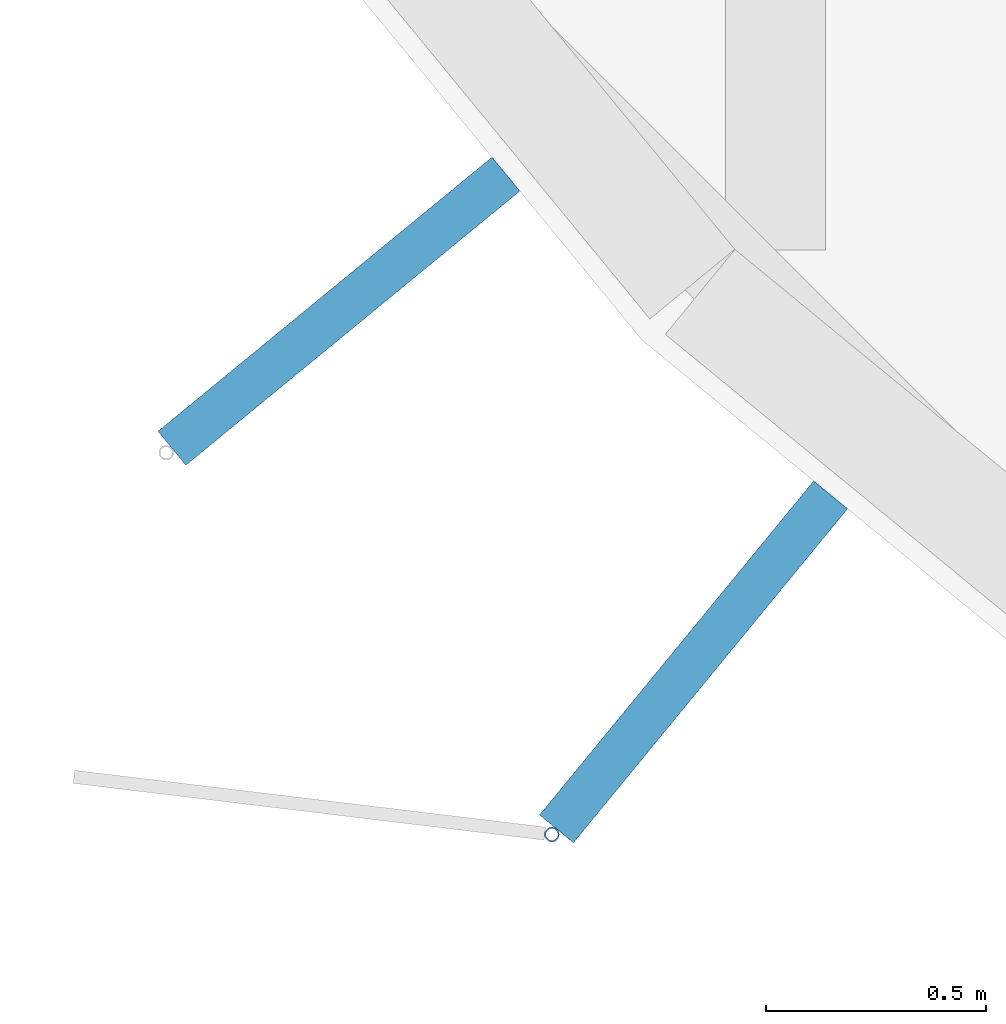
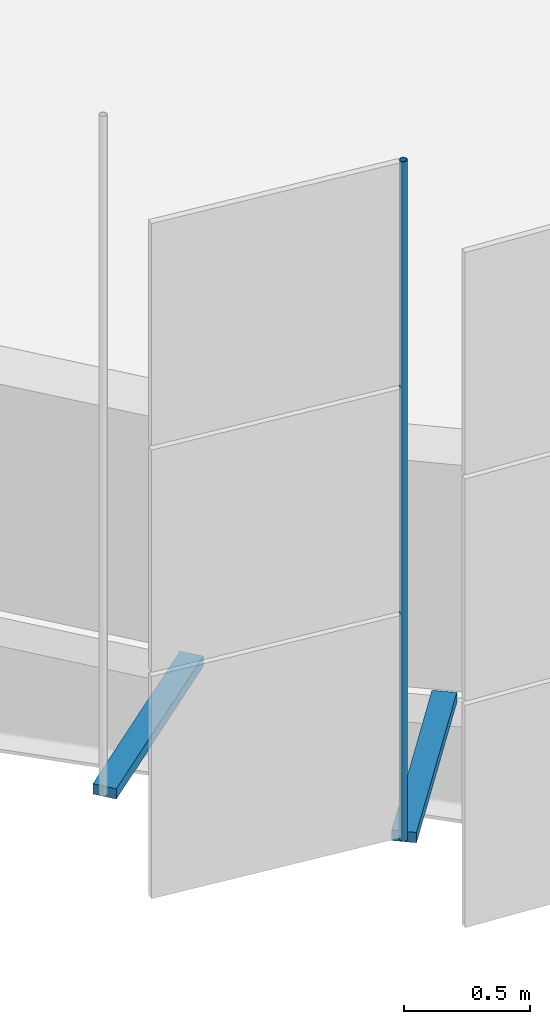
# One storey, part 87 of 214: 3 discrete accessories.
"""IFC4 building model written with IfcOpenShell, lengths in metres."""

from ifc_helpers import new_model, si_unit, direction, frame, origin, origin_2d, place, context, subcontext, project, spatial, rectangle, hollow_circle, extrude, material, material_profile, profile_set, type_object, element, save


model = new_model("IFC4")

# Units and contexts
model_context = context("Model", 3, precision=1e-05, world=origin(), true_north=direction((0.0, 1.0)))
body_context = subcontext(model_context, "Body", "Model", "MODEL_VIEW")
ifc_project = project(units=[si_unit("LENGTHUNIT", "METRE"), si_unit("AREAUNIT", "SQUARE_METRE"), si_unit("VOLUMEUNIT", "CUBIC_METRE"), si_unit("PLANEANGLEUNIT", "RADIAN"), si_unit("MASSUNIT", "GRAM", prefix="KILO")], contexts=[model_context])

# Site, building, storey
site_placement = place(None, origin())
site = spatial("IfcSite", under=ifc_project, at=site_placement, CompositionType="ELEMENT")
building_placement = place(site_placement, origin())
building = spatial("IfcBuilding", under=site, at=building_placement, Name="Parallax Yard Mobility Hub", CompositionType="ELEMENT")
storey_placement = place(building_placement, frame((0.0, 0.0, 3.300048828125)))
storey = spatial("IfcBuildingStorey", under=building, at=storey_placement, Name="L01", CompositionType="ELEMENT", Elevation=3.300048828125)

# Discrete accessories
ifc_material_1 = material(Name="Steel ASTM A36, hot-dip galvanised", Category="steel")
discrete_accessory_type_1 = type_object("IfcDiscreteAccessoryType", Name="Hinge bracket plate 100x50", PredefinedType="BRACKET", material=ifc_material_1)
for number, where, z_axis, x_axis, name in (
    (1, (24.006103515625, 114.76318359375, -0.02490234375), (0.0, 0.0, 1.0), (-0.773010453363, -0.634393284164, 0.0), "Hinge bracket plate bay 72.6 level L01"),
    (2, (24.813720703125, 113.964599609375, -0.02490234375), (0.0, 0.0, 1.0), (-0.634393284164, -0.773010453363, 0.0), "Hinge bracket plate bay 72.7 level L01"),
):
    element("IfcDiscreteAccessory", number, at=place(storey_placement, frame(where, z_axis=z_axis, x_axis=x_axis)), inside=storey, type_object=discrete_accessory_type_1, Name=name, PredefinedType="BRACKET", context=body_context, shape_type="SweptSolid", body=[
        extrude(rectangle(XDim=0.984130859375, YDim=0.10009765625, at=origin_2d()), origin(), (0.0, 0.0, 1.0), 0.050048828125),
    ])
ifc_material_2 = material(Name="Steel ASTM A500 Gr C, hot-dip galvanised", Category="steel")
ifc_material_profile = material_profile(ifc_material_2, hollow_circle(Radius=0.016845703125, WallThickness=0.003173828125, at=origin_2d()), Name="CHS 33.7x3.2")
ifc_profile_set = profile_set([ifc_material_profile], Name="Steel ASTM A500 Gr C, hot-dip galvanised")
discrete_accessory_type_2 = type_object("IfcDiscreteAccessoryType", Name="Hinge post CHS 33.7x3.2", PredefinedType="BRACKET", material=ifc_profile_set)
discrete_accessory_placement = place(storey_placement, frame((24.4912109375, 113.571533203125, 0.0), z_axis=(0.0, 0.0, 1.0), x_axis=(1.0, 0.0, 0.0)))
element("IfcDiscreteAccessory", 3, at=discrete_accessory_placement, inside=storey, type_object=discrete_accessory_type_2, Name="Hinge post bay 72.7 level L01", PredefinedType="BRACKET", context=body_context, shape_type="SweptSolid", body=[
    extrude(hollow_circle(Radius=0.016845703125, WallThickness=0.003173828125, at=origin_2d()), origin(), (0.0, 0.0, 1.0), 3.300048828125),
])

save(model, "model.ifc")
